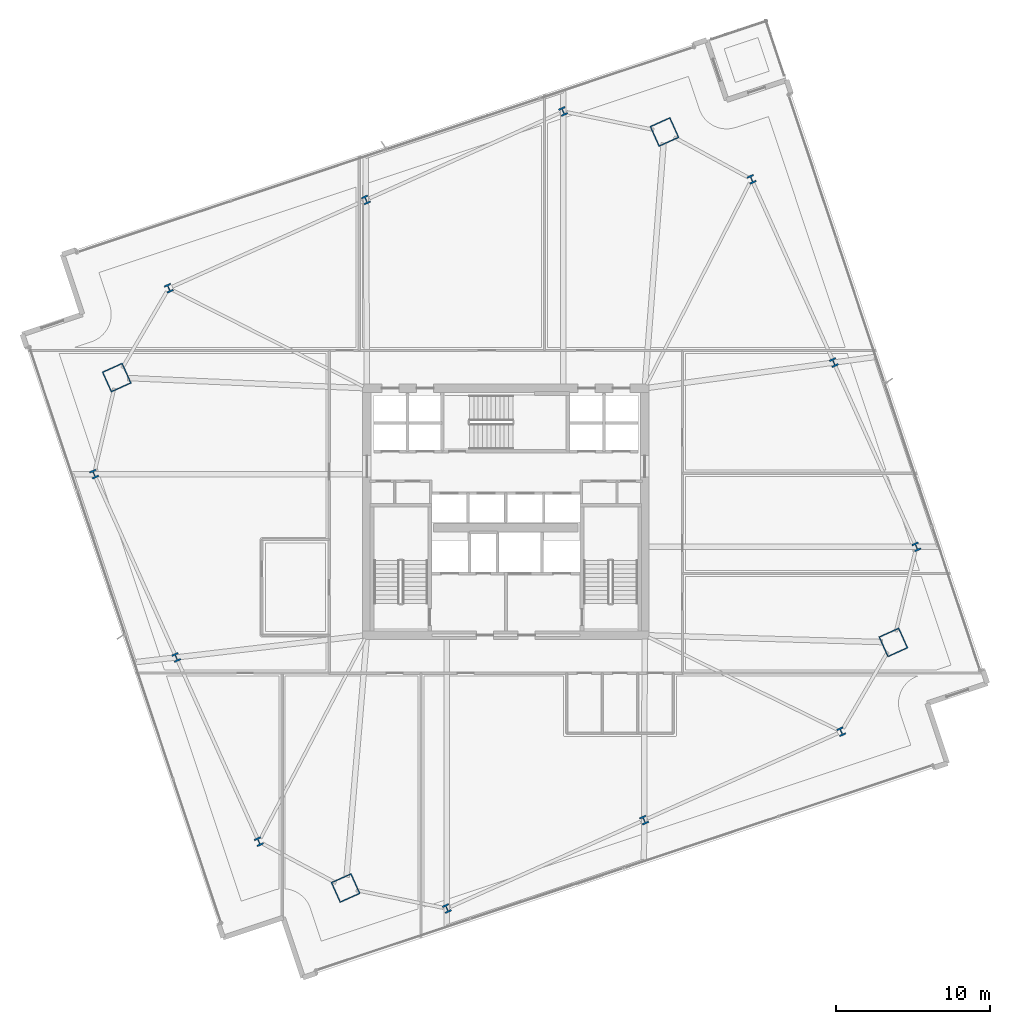
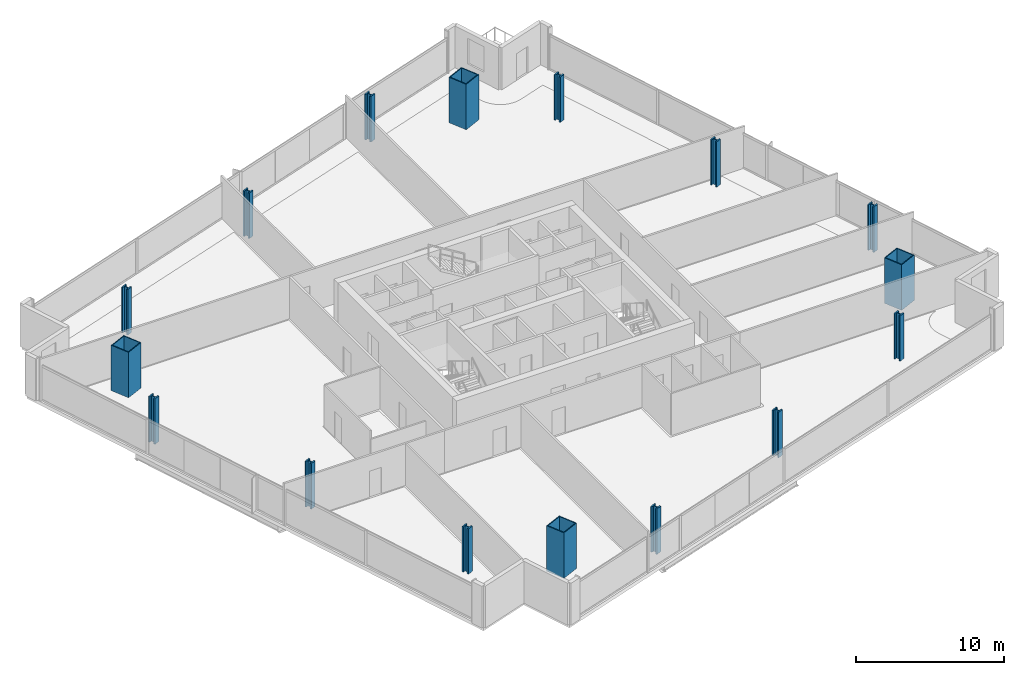
# One storey, part 1 of 34: 16 columns.
"""IFC4 building model written with IfcOpenShell, lengths in metres."""

from ifc_helpers import new_model, si_unit, direction, frame, origin, origin_2d, place, context, subcontext, project, spatial, hollow_rectangle, i_section, extrude, material, material_profile, profile_set, type_object, element, save


model = new_model("IFC4")

# Units and contexts
model_context = context("Model", 3, precision=1e-05, world=origin(), true_north=direction((0.0, 1.0)))
body_context = subcontext(model_context, "Body", "Model", "MODEL_VIEW")
ifc_project = project(units=[si_unit("LENGTHUNIT", "METRE"), si_unit("AREAUNIT", "SQUARE_METRE"), si_unit("VOLUMEUNIT", "CUBIC_METRE"), si_unit("PLANEANGLEUNIT", "RADIAN"), si_unit("MASSUNIT", "GRAM", prefix="KILO")], contexts=[model_context])

# Site, building, storey
site_placement = place(None, origin())
site = spatial("IfcSite", under=ifc_project, at=site_placement, CompositionType="ELEMENT")
building_placement = place(site_placement, origin())
building = spatial("IfcBuilding", under=site, at=building_placement, Name="Haldenkirk Collegiate Tower", CompositionType="ELEMENT")
storey_placement = place(building_placement, frame((0.0, 0.0, 90.449951171875)))
storey = spatial("IfcBuildingStorey", under=building, at=storey_placement, Name="L21", CompositionType="ELEMENT", Elevation=90.449951171875)

# Columns
ifc_material_1 = material(Name="Steel ASTM A913 Grade 65", Category="steel")
ifc_material_profile_1 = material_profile(ifc_material_1, i_section(OverallWidth=0.44189453125, OverallDepth=0.531005859375, WebThickness=0.06591796875, FlangeThickness=0.105712890625, at=origin_2d()), Name="W14X605")
ifc_profile_set_1 = profile_set([ifc_material_profile_1], Name="Steel ASTM A913 Grade 65")
column_type_1 = type_object("IfcColumnType", Name="COL-INT-W14X605", PredefinedType="COLUMN", material=ifc_profile_set_1)
for number, where, z_axis, x_axis, name in (
    (1, (32.181396484375, 0.287353515625, 0.0), (0.0, 0.0, 1.0), (0.912477494148, 0.409126902895, 0.0), "L21 perimeter gravity column PC-S1"),
    (2, (44.9599609375, 6.0166015625, 0.0), (0.0, 0.0, 1.0), (0.912477494148, 0.409126902895, 0.0), "L21 perimeter gravity column PC-S2"),
    (3, (57.73828125, 11.74609375, 0.0), (0.0, 0.0, 1.0), (0.912477494148, 0.409126902895, 0.0), "L21 perimeter gravity column PC-S3"),
    (4, (62.608642578125, 23.727294921875, 0.0), (0.0, 0.0, 1.0), (0.912477494148, 0.409126902895, 0.0), "L21 perimeter gravity column PC-E1"),
    (5, (57.255126953125, 35.667236328125, 0.0), (0.0, 0.0, 1.0), (0.912477494148, 0.409126902895, 0.0), "L21 perimeter gravity column PC-E2"),
    (6, (51.930419921875, 47.543212890625, 0.0), (0.0, 0.0, 1.0), (0.912477494148, 0.409126902895, 0.0), "L21 perimeter gravity column PC-E3"),
    (7, (39.71630859375, 51.94091796875, 0.0), (0.0, 0.0, 1.0), (0.912477494148, 0.409126902895, 0.0), "L21 perimeter gravity column PC-N1"),
    (8, (26.937744140625, 46.21142578125, 0.0), (0.0, 0.0, 1.0), (0.912477494148, 0.409126902895, 0.0), "L21 perimeter gravity column PC-N2"),
    (9, (14.159423828125, 40.48193359375, 0.0), (0.0, 0.0, 1.0), (0.912477494148, 0.409126902895, 0.0), "L21 perimeter gravity column PC-N3"),
    (10, (9.317626953125, 28.436767578125, 0.0), (0.0, 0.0, 1.0), (0.912477494148, 0.409126902895, 0.0), "L21 perimeter gravity column PC-W1"),
    (11, (14.642578125, 16.560791015625, 0.0), (0.0, 0.0, 1.0), (0.912477494148, 0.409126902895, 0.0), "L21 perimeter gravity column PC-W2"),
    (12, (19.995849609375, 4.62109375, 0.0), (0.0, 0.0, 1.0), (0.912477494148, 0.409126902895, 0.0), "L21 perimeter gravity column PC-W3"),
):
    element("IfcColumn", number, at=place(storey_placement, frame(where, z_axis=z_axis, x_axis=x_axis)), inside=storey, type_object=column_type_1, Name=name, PredefinedType="COLUMN", context=body_context, shape_type="SweptSolid", body=[
        extrude(i_section(OverallWidth=0.44189453125, OverallDepth=0.531005859375, WebThickness=0.06591796875, FlangeThickness=0.105712890625, at=origin_2d()), origin(), (0.0, 0.0, 1.0), 3.75),
    ])
ifc_material_2 = material(Name="Steel ASTM A572 Grade 50", Category="steel")
ifc_material_profile_2 = material_profile(ifc_material_2, hollow_rectangle(XDim=1.449951171875, YDim=1.449951171875, WallThickness=0.070068359375, at=origin_2d()), Name="BOX1450X1450X70")
ifc_profile_set_2 = profile_set([ifc_material_profile_2], Name="Steel ASTM A572 Grade 50")
column_type_2 = type_object("IfcColumnType", Name="COL-MEGA-BOX1450X1450X70", PredefinedType="COLUMN", material=ifc_profile_set_2)
for number, where, z_axis, x_axis, name in (
    (13, (25.61669921875, 1.617919921875, 0.0), (0.0, 0.0, 1.0), (0.912477494148, 0.409126902895, 0.0), "L21 corner mega-column MC1"),
    (14, (61.112060546875, 17.532958984375, 0.0), (0.0, 0.0, 1.0), (0.912477494148, 0.409126902895, 0.0), "L21 corner mega-column MC2"),
    (15, (46.281005859375, 50.610107421875, 0.0), (0.0, 0.0, 1.0), (0.912477494148, 0.409126902895, 0.0), "L21 corner mega-column MC3"),
    (16, (10.78564453125, 34.6953125, 0.0), (0.0, 0.0, 1.0), (0.912477494148, 0.409126902895, 0.0), "L21 corner mega-column MC4"),
):
    element("IfcColumn", number, at=place(storey_placement, frame(where, z_axis=z_axis, x_axis=x_axis)), inside=storey, type_object=column_type_2, Name=name, PredefinedType="COLUMN", context=body_context, shape_type="SweptSolid", body=[
        extrude(hollow_rectangle(XDim=1.449951171875, YDim=1.449951171875, WallThickness=0.070068359375, at=origin_2d()), origin(), (0.0, 0.0, 1.0), 3.75),
    ])

save(model, "model.ifc")
